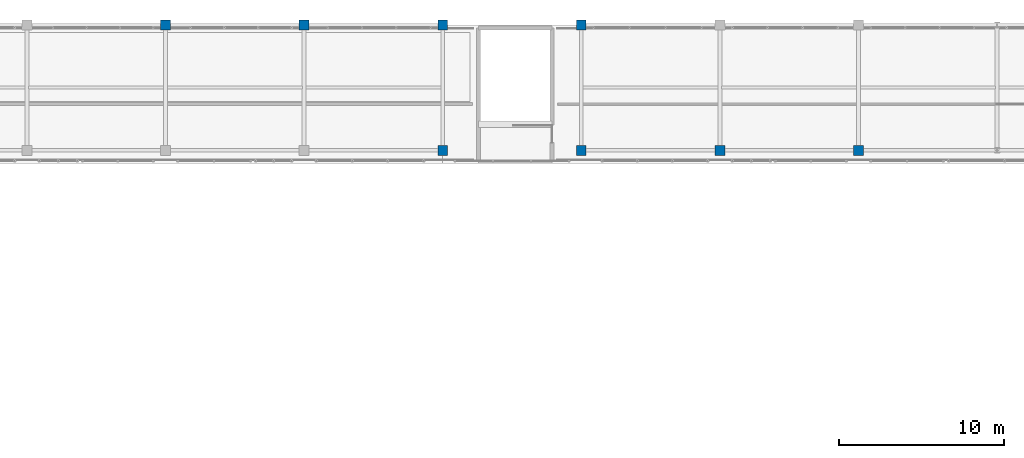
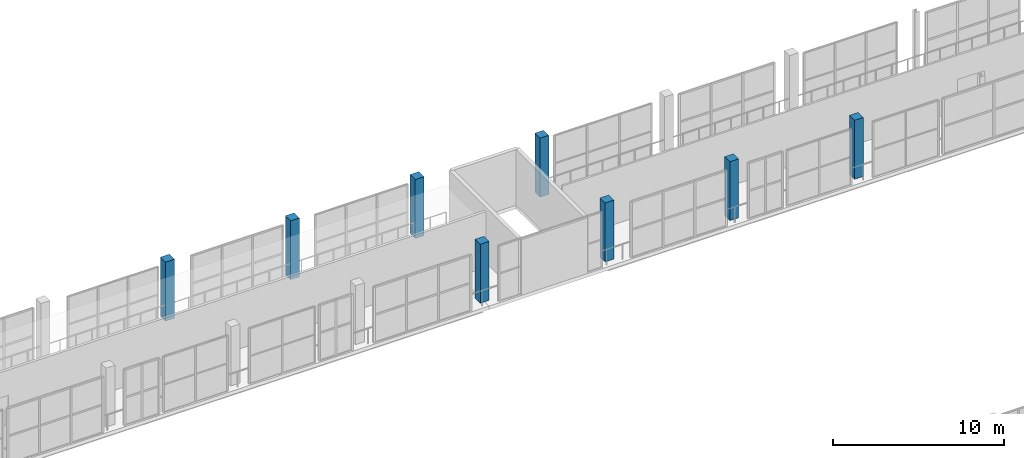
# One storey, part 8 of 151: 8 columns.
"""IFC4 building model written with IfcOpenShell, lengths in metres."""

from ifc_helpers import new_model, si_unit, direction, frame, origin, origin_2d, place, context, subcontext, project, spatial, rectangle, extrude, material, material_profile, profile_set, type_object, element, save


model = new_model("IFC4")

# Units and contexts
model_context = context("Model", 3, precision=1e-05, world=origin(), true_north=direction((0.0, 1.0)))
body_context = subcontext(model_context, "Body", "Model", "MODEL_VIEW")
ifc_project = project(units=[si_unit("LENGTHUNIT", "METRE"), si_unit("AREAUNIT", "SQUARE_METRE"), si_unit("VOLUMEUNIT", "CUBIC_METRE"), si_unit("PLANEANGLEUNIT", "RADIAN"), si_unit("MASSUNIT", "GRAM", prefix="KILO")], contexts=[model_context])

# Site, building, storey
site_placement = place(None, origin())
site = spatial("IfcSite", under=ifc_project, at=site_placement, CompositionType="ELEMENT")
building_placement = place(site_placement, origin())
building = spatial("IfcBuilding", under=site, at=building_placement, Name="Zuvorla Pavilion Media Centre", CompositionType="ELEMENT")
storey_placement = place(building_placement, frame((0.0, 0.0, 13.800048828125)))
storey = spatial("IfcBuildingStorey", under=building, at=storey_placement, Name="L03", CompositionType="ELEMENT", Elevation=13.800048828125)

# Columns
ifc_material = material(Name="Concrete C40/50", Category="concrete")
ifc_material_profile = material_profile(ifc_material, rectangle(XDim=0.60009765625, YDim=0.60009765625, at=origin_2d()), Name="RC 600x600")
ifc_profile_set = profile_set([ifc_material_profile], Name="Concrete C40/50")
column_type = type_object("IfcColumnType", Name="COL-RC600", PredefinedType="COLUMN", material=ifc_profile_set)
for number, where, z_axis, x_axis, name in (
    (1, (92.0, 82.0, 0.0), (0.0, 0.0, 1.0), (1.0, 0.0, 0.0), "L03 column C03 791"),
    (2, (100.39990234375, 82.0, 0.0), (0.0, 0.0, 1.0), (1.0, 0.0, 0.0), "L03 column C03 796"),
    (3, (108.800048828125, 82.0, 0.0), (0.0, 0.0, 1.0), (1.0, 0.0, 0.0), "L03 column C03 801"),
    (4, (117.199951171875, 82.0, 0.0), (0.0, 0.0, 1.0), (1.0, 0.0, 0.0), "L03 column C03 806"),
    (5, (75.199951171875, 89.60009765625, 0.0), (0.0, 0.0, 1.0), (1.0, 0.0, 0.0), "L03 column C03 873"),
    (6, (83.60009765625, 89.60009765625, 0.0), (0.0, 0.0, 1.0), (1.0, 0.0, 0.0), "L03 column C03 878"),
    (7, (92.0, 89.60009765625, 0.0), (0.0, 0.0, 1.0), (1.0, 0.0, 0.0), "L03 column C03 883"),
    (8, (100.39990234375, 89.60009765625, 0.0), (0.0, 0.0, 1.0), (1.0, 0.0, 0.0), "L03 column C03 888"),
):
    element("IfcColumn", number, at=place(storey_placement, frame(where, z_axis=z_axis, x_axis=x_axis)), inside=storey, type_object=column_type, Name=name, PredefinedType="COLUMN", context=body_context, shape_type="SweptSolid", body=[
        extrude(rectangle(XDim=0.60009765625, YDim=0.60009765625, at=origin_2d()), origin(), (0.0, 0.0, 1.0), 4.199951171875),
    ])

save(model, "model.ifc")
